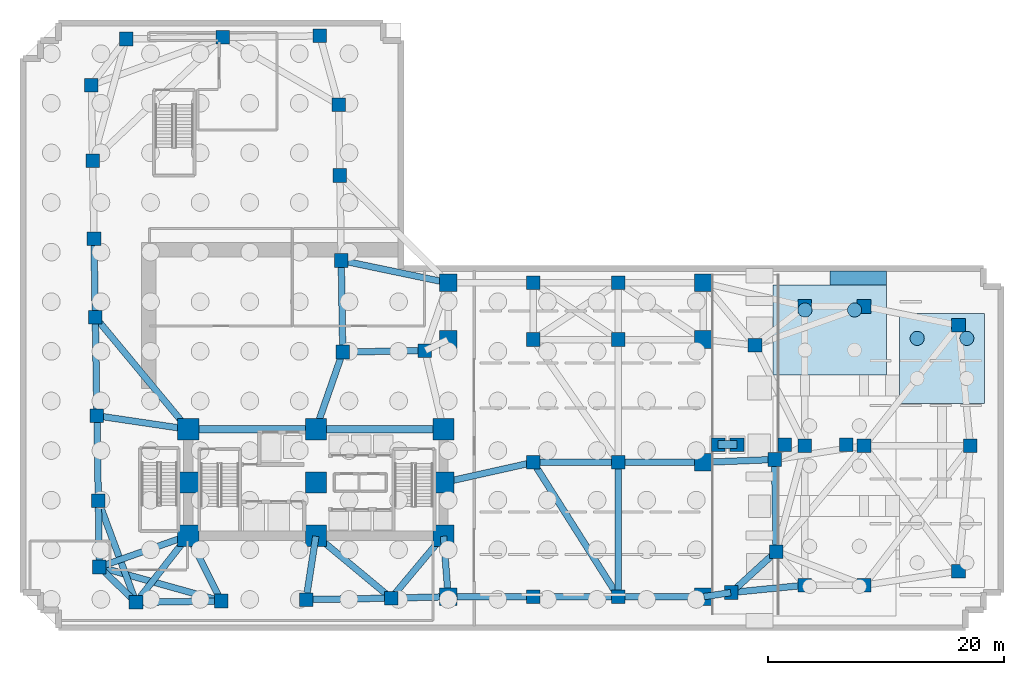
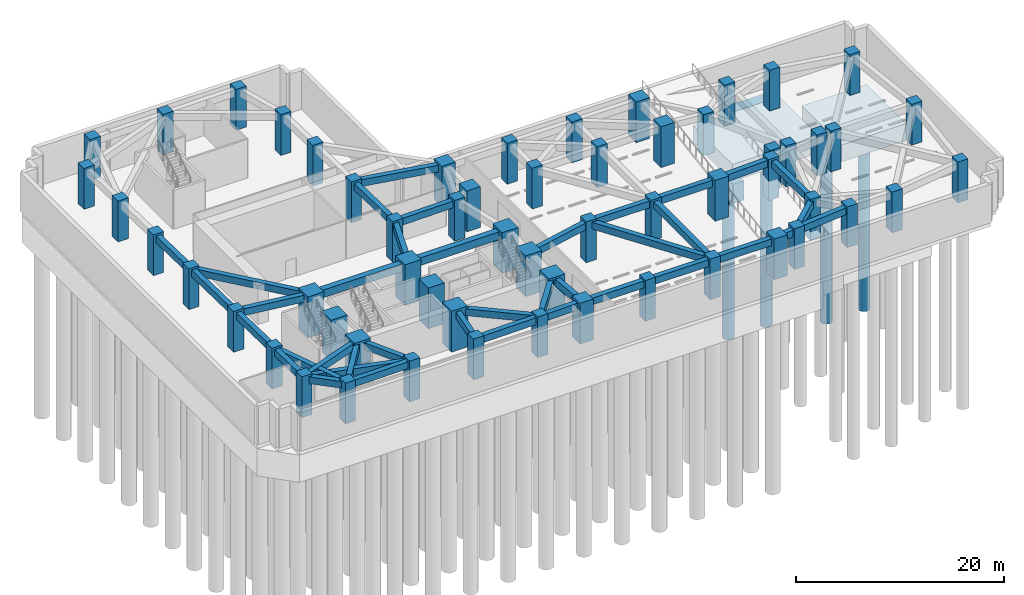
# One storey, part 2 of 11: 60 columns, 39 beams, 4 piles, 3 footings.
"""IFC4 building model written with IfcOpenShell, lengths in metres."""

import ifcopenshell
import ifcopenshell.guid

model = None  # the IFC model being written
_history = None  # IfcOwnerHistory: only IFC2X3 demands one
_inside = {}  # id of a spatial element -> (the spatial element, [elements in it])
_under = {}  # id of a project, library or spatial element -> (it, [spatial elements below it])
_declared = {}  # id of a project -> (the project, [libraries it declares])
_typed = {}  # id of a type object -> (the type object, [elements of that type])
_made_of = {}  # id of a material, layer set ... -> (it, [elements and type objects made of it])


def new_model(schema):
    """Start an empty IFC model of exactly this schema.

    Asked for "IFC4X3", IfcOpenShell would pick the latest addendum, in which some entities
    have other attributes; the version numbers below select the first issue.
    IFC2X3 requires an IfcOwnerHistory on every rooted entity: one is made here for all.
    """
    global model, _history
    if schema == "IFC4X3":
        model = ifcopenshell.file(schema_version=(4, 3, 0, 0))
    else:
        model = ifcopenshell.file(schema=schema)
    _inside.clear()
    _under.clear()
    _declared.clear()
    _typed.clear()
    _made_of.clear()
    _history = None
    if model.schema == "IFC2X3":
        org = make("IfcOrganization", Name="unknown")
        user = make(
            "IfcPersonAndOrganization",
            ThePerson=make("IfcPerson", FamilyName="unknown"),
            TheOrganization=org,
        )
        app = make(
            "IfcApplication",
            ApplicationDeveloper=org,
            Version="unknown",
            ApplicationFullName="unknown",
            ApplicationIdentifier="unknown",
        )
        _history = make(
            "IfcOwnerHistory",
            OwningUser=user,
            OwningApplication=app,
            ChangeAction="ADDED",
            CreationDate=0,
        )
    return model


def make(cls, **values):
    """One entity of the class cls with the attributes given. An attribute that is None is left unset."""
    return model.create_entity(
        cls, **{name: value for name, value in values.items() if value is not None}
    )


def rooted(cls, **values):
    """An entity with a GlobalId (a new one), such as an element, a storey or a relation."""
    return make(cls, GlobalId=ifcopenshell.guid.new(), OwnerHistory=_history, **values)


def si_unit(unit_type, name, prefix=None):
    """IfcSIUnit, for example si_unit("LENGTHUNIT", "METRE", prefix="MILLI")."""
    return make("IfcSIUnit", UnitType=unit_type, Prefix=prefix, Name=name)


def assignment(units):
    """IfcUnitAssignment: the units of a project."""
    return None if units is None else make("IfcUnitAssignment", Units=units)


def point(xyz):
    """IfcCartesianPoint."""
    return None if xyz is None else make("IfcCartesianPoint", Coordinates=xyz)


def direction(xyz):
    """IfcDirection."""
    return None if xyz is None else make("IfcDirection", DirectionRatios=xyz)


def frame(location, z_axis=None, x_axis=None):
    """IfcAxis2Placement3D, a coordinate frame: its origin and axes. An axis left out is left unset."""
    return make(
        "IfcAxis2Placement3D",
        Location=point(location),
        Axis=direction(z_axis),
        RefDirection=direction(x_axis),
    )


def frame_2d(location, x_axis=None):
    """IfcAxis2Placement2D, a coordinate frame in the plane: its origin and x axis."""
    return make(
        "IfcAxis2Placement2D", Location=point(location), RefDirection=direction(x_axis)
    )


def origin():
    """The frame at (0, 0, 0) with its axes left unset."""
    return frame((0.0, 0.0, 0.0))


def origin_2d():
    """The frame at (0, 0) in the plane with its x axis left unset."""
    return frame_2d((0.0, 0.0))


def place(relative_to, where):
    """IfcLocalPlacement: puts the frame where relative to a parent placement (None: the world)."""
    return make(
        "IfcLocalPlacement", PlacementRelTo=relative_to, RelativePlacement=where
    )


def context(
    kind, dimensions, precision=None, world=None, true_north=None, identifier=None
):
    """IfcGeometricRepresentationContext, for example the 3D "Model" context."""
    return make(
        "IfcGeometricRepresentationContext",
        ContextIdentifier=identifier,
        ContextType=kind,
        CoordinateSpaceDimension=dimensions,
        Precision=precision,
        WorldCoordinateSystem=world,
        TrueNorth=true_north,
    )


def subcontext(parent, identifier, kind, view, scale=None):
    """IfcGeometricRepresentationSubContext, for example "Body" below "Model"."""
    return make(
        "IfcGeometricRepresentationSubContext",
        ContextIdentifier=identifier,
        ContextType=kind,
        ParentContext=parent,
        TargetScale=scale,
        TargetView=view,
    )


def project(units=None, contexts=None):
    """IfcProject with its units and contexts."""
    return rooted(
        "IfcProject",
        Name="project",
        RepresentationContexts=contexts,
        UnitsInContext=assignment(units),
    )


def spatial(cls, under=None, at=None, **own):
    """A site, building, storey or space (cls), placed at a placement, below another one or the project."""
    s = rooted(cls, ObjectPlacement=at, **own)
    if under is not None:
        _under.setdefault(under.id(), (under, []))[1].append(s)
    return s


def profile(cls, at=None, kind="AREA", **sizes):
    """A parametric profile (cls). Its sizes go by their IFC names, for example OverallWidth=200.0."""
    return make(cls, ProfileType=kind, Position=at, **sizes)


def rectangle(**sizes):
    """IfcRectangleProfileDef."""
    return profile("IfcRectangleProfileDef", **sizes)


def circle(**sizes):
    """IfcCircleProfileDef."""
    return profile("IfcCircleProfileDef", **sizes)


def extrude(swept, where, along, depth):
    """IfcExtrudedAreaSolid: the profile swept, set in the frame where, extruded along a direction by depth."""
    return make(
        "IfcExtrudedAreaSolid",
        SweptArea=swept,
        Position=where,
        ExtrudedDirection=direction(along),
        Depth=depth,
    )


def shape(context_of_items, identifier, shape_type, items):
    """IfcShapeRepresentation: the items that make up one representation, for example the "Body"."""
    return make(
        "IfcShapeRepresentation",
        ContextOfItems=context_of_items,
        RepresentationIdentifier=identifier,
        RepresentationType=shape_type,
        Items=items,
    )


def material(Name=None, Category=None):
    """IfcMaterial."""
    return make("IfcMaterial", Name=Name, Category=Category)


def layer(
    of_material, thickness, ventilated=None, Name=None, Category=None, Priority=None
):
    """IfcMaterialLayer: one layer of a wall or slab, of a material (None: an air gap)."""
    return make(
        "IfcMaterialLayer",
        Material=of_material,
        LayerThickness=thickness,
        IsVentilated=ventilated,
        Name=Name,
        Category=Category,
        Priority=Priority,
    )


def layer_set(layers, Name=None):
    """IfcMaterialLayerSet."""
    return make("IfcMaterialLayerSet", MaterialLayers=layers, LayerSetName=Name)


def material_profile(
    of_material, cross_section, Name=None, Category=None, Priority=None
):
    """IfcMaterialProfile: a cross section and its material."""
    return make(
        "IfcMaterialProfile",
        Name=Name,
        Material=of_material,
        Profile=cross_section,
        Priority=Priority,
        Category=Category,
    )


def profile_set(profiles, Name=None, composite=None):
    """IfcMaterialProfileSet."""
    return make(
        "IfcMaterialProfileSet",
        Name=Name,
        MaterialProfiles=profiles,
        CompositeProfile=composite,
    )


def made_of(thing, what):
    """Note that an element or type object is made of a material, layer set ...; save() writes the relation."""
    if what is not None:
        _made_of.setdefault(what.id(), (what, []))[1].append(thing)
    return thing


def type_object(cls, material=None, **own):
    """A type object (cls), such as IfcWallType, which elements share."""
    return made_of(rooted(cls, **own), material)


def element(
    cls,
    number,
    at=None,
    inside=None,
    cuts=None,
    type_object=None,
    material=None,
    context=None,
    identifier="Body",
    shape_type=None,
    held_by="IfcProductDefinitionShape",
    body=None,
    shapes=None,
    **own,
):
    """One element of the class cls, such as IfcWall. Its Tag is "e" and its number.

    at: its placement. inside: the storey or other place that contains it. cuts: it is an
    opening in that element (IfcRelVoidsElement). A single representation is given by context,
    identifier, shape_type and body (its items); several are given by shapes. held_by: the class
    of the entity that holds the representations. save() writes the other relations.
    """
    e = rooted(cls, Tag="e%d" % number, ObjectPlacement=at, **own)
    if body is not None:
        shapes = [shape(context, identifier, shape_type, body)]
    if shapes is not None:
        e.Representation = make(held_by, Representations=shapes)
    if inside is not None:
        _inside.setdefault(inside.id(), (inside, []))[1].append(e)
    if cuts is not None:
        rooted(
            "IfcRelVoidsElement", RelatingBuildingElement=cuts, RelatedOpeningElement=e
        )
    if type_object is not None:
        _typed.setdefault(type_object.id(), (type_object, []))[1].append(e)
    return made_of(e, material)


def aggregate(whole, parts):
    """IfcRelAggregates: a whole, such as a stair, and the parts it consists of."""
    return rooted("IfcRelAggregates", RelatingObject=whole, RelatedObjects=parts)


def save(model, path):
    """Write the relations noted so far, then the file.

    IfcRelAggregates (storeys below a building ...), IfcRelContainedInSpatialStructure (elements
    in a storey), IfcRelDefinesByType, IfcRelAssociatesMaterial and IfcRelDeclares: one each for
    every whole, place, type object, material and project.
    """
    for whole, parts in _under.values():
        aggregate(whole, parts)
    for where, things in _inside.values():
        rooted(
            "IfcRelContainedInSpatialStructure",
            RelatedElements=things,
            RelatingStructure=where,
        )
    for kind, things in _typed.values():
        rooted("IfcRelDefinesByType", RelatedObjects=things, RelatingType=kind)
    for what, things in _made_of.values():
        rooted("IfcRelAssociatesMaterial", RelatedObjects=things, RelatingMaterial=what)
    for by, libraries in _declared.values():
        rooted("IfcRelDeclares", RelatingContext=by, RelatedDefinitions=libraries)
    model.write(path)


model = new_model("IFC4")

# Units and contexts
model_context = context("Model", 3, precision=1e-05, world=origin(), true_north=direction((0.0, 1.0)))
body_context = subcontext(model_context, "Body", "Model", "MODEL_VIEW")
ifc_project = project(units=[si_unit("LENGTHUNIT", "METRE"), si_unit("AREAUNIT", "SQUARE_METRE"), si_unit("VOLUMEUNIT", "CUBIC_METRE"), si_unit("PLANEANGLEUNIT", "RADIAN"), si_unit("MASSUNIT", "GRAM", prefix="KILO")], contexts=[model_context])

# Site, building, storey
site_placement = place(None, origin())
site = spatial("IfcSite", under=ifc_project, at=site_placement, CompositionType="ELEMENT")
building_placement = place(site_placement, origin())
building = spatial("IfcBuilding", under=site, at=building_placement, Name="Gaonmaruhae Medical Tower", CompositionType="ELEMENT")
storey_placement = place(building_placement, frame((0.0, 0.0, -9.60009765625)))
storey = spatial("IfcBuildingStorey", under=building, at=storey_placement, Name="B02", CompositionType="ELEMENT", Elevation=-9.60009765625)

# Piles
ifc_material_1 = material(Name="Concrete C50/60", Category="concrete")
ifc_material_profile_1 = material_profile(ifc_material_1, circle(Radius=0.60009765625, at=origin_2d()), Name="PILE-D1200")
ifc_profile_set_1 = profile_set([ifc_material_profile_1], Name="Concrete C50/60")
pile_type = type_object("IfcPileType", Name="BP-1200 Rock-Socketed Bored Pile", PredefinedType="BORED", material=ifc_profile_set_1)
for number, where, z_axis, x_axis, name in (
    (1, (66.199951171875, 26.89990234375, -2.5), (0.0, 0.0, -1.0), (1.0, 0.0, 0.0), "Podium Cap Bored Pile PILE-P10"),
    (2, (70.39990234375, 26.89990234375, -2.5), (0.0, 0.0, -1.0), (1.0, 0.0, 0.0), "Podium Cap Bored Pile PILE-P12"),
    (3, (75.699951171875, 24.5, -2.5), (0.0, 0.0, -1.0), (1.0, 0.0, 0.0), "Podium Cap Bored Pile PILE-P18"),
    (4, (79.89990234375, 24.5, -2.5), (0.0, 0.0, -1.0), (1.0, 0.0, 0.0), "Podium Cap Bored Pile PILE-P20"),
):
    element("IfcPile", number, at=place(storey_placement, frame(where, z_axis=z_axis, x_axis=x_axis)), inside=storey, type_object=pile_type, Name=name, PredefinedType="BORED", context=body_context, shape_type="SweptSolid", body=[
        extrude(circle(Radius=0.60009765625, at=origin_2d()), origin(), (0.0, 0.0, 1.0), 22.60009765625),
    ])

# Footings
ifc_material_2 = material(Name="Concrete C40/50", Category="concrete")
ifc_layer = layer(ifc_material_2, 2.0)
ifc_layer_set = layer_set([ifc_layer], Name="Concrete C40/50")
footing_type_1 = type_object("IfcFootingType", Name="PC-02 Podium Corner Pile Cap", PredefinedType="PILE_CAP", material=ifc_layer_set)
footing_1_placement = place(storey_placement, frame((68.300048828125, 25.199951171875, -2.599853515625), z_axis=(0.0, 0.0, 1.0), x_axis=(1.0, 0.0, 0.0)))
element("IfcFooting", 5, at=footing_1_placement, inside=storey, type_object=footing_type_1, Name="Podium Combined Pile Cap FTG-PC-03", PredefinedType="PILE_CAP", context=body_context, shape_type="SweptSolid", body=[
    extrude(rectangle(XDim=9.60009765625, YDim=7.60009765625, at=origin_2d()), origin(), (0.0, 0.0, 1.0), 2.0),
])
footing_2_placement = place(storey_placement, frame((77.800048828125, 22.800048828125, -2.599853515625), z_axis=(0.0, 0.0, 1.0), x_axis=(1.0, 0.0, 0.0)))
element("IfcFooting", 6, at=footing_2_placement, inside=storey, type_object=footing_type_1, Name="Podium Combined Pile Cap FTG-PC-05", PredefinedType="PILE_CAP", context=body_context, shape_type="SweptSolid", body=[
    extrude(rectangle(XDim=7.199951171875, YDim=7.60009765625, at=origin_2d()), origin(), (0.0, 0.0, 1.0), 2.0),
])
ifc_material_profile_2 = material_profile(ifc_material_2, rectangle(XDim=1.199951171875, YDim=1.60009765625, at=origin_2d()), Name="TG-1200x1600")
ifc_profile_set_2 = profile_set([ifc_material_profile_2], Name="Concrete C40/50")
footing_type_2 = type_object("IfcFootingType", Name="SF-01 Retaining Wall Strip Footing", PredefinedType="STRIP_FOOTING", material=ifc_profile_set_2)
footing_3_placement = place(storey_placement, frame((68.300048828125, 29.60009765625, -1.39990234375), z_axis=(1.0, 0.0, 0.0), x_axis=(0.0, 1.0, 0.0)))
element("IfcFooting", 7, at=footing_3_placement, inside=storey, type_object=footing_type_2, Name="Perimeter Strip Footing FTG-SF-05", PredefinedType="STRIP_FOOTING", context=body_context, shape_type="SweptSolid", body=[
    extrude(rectangle(XDim=1.199951171875, YDim=1.60009765625, at=origin_2d()), origin(), (0.0, 0.0, 1.0), 4.800048828125),
])

# Columns
ifc_material_3 = material(Name="Concrete C60/75", Category="concrete")
ifc_material_profile_3 = material_profile(ifc_material_3, rectangle(XDim=1.800048828125, YDim=1.800048828125, at=origin_2d()), Name="RC-1800x1800")
ifc_profile_set_3 = profile_set([ifc_material_profile_3], Name="Concrete C60/75")
column_type_1 = type_object("IfcColumnType", Name="CC-01 Lower Core Mega Column (RC-1800x1800)", PredefinedType="COLUMN", material=ifc_profile_set_3)
for number, where, z_axis, x_axis, name in (
    (8, (14.0, 7.800048828125, 0.0), (0.0, 0.0, 1.0), (1.0, 0.0, 0.0), "B02 Plumb Core Column CC11"),
    (9, (14.0, 12.300048828125, 0.0), (0.0, 0.0, 1.0), (1.0, 0.0, 0.0), "B02 Plumb Core Column CC12"),
    (10, (14.0, 16.800048828125, 0.0), (0.0, 0.0, 1.0), (1.0, 0.0, 0.0), "B02 Plumb Core Column CC13"),
    (11, (24.800048828125, 7.800048828125, 0.0), (0.0, 0.0, 1.0), (1.0, 0.0, 0.0), "B02 Plumb Core Column CC21"),
    (12, (24.800048828125, 12.300048828125, 0.0), (0.0, 0.0, 1.0), (1.0, 0.0, 0.0), "B02 Plumb Core Column CC22"),
    (13, (24.800048828125, 16.800048828125, 0.0), (0.0, 0.0, 1.0), (1.0, 0.0, 0.0), "B02 Plumb Core Column CC23"),
    (14, (35.60009765625, 7.800048828125, 0.0), (0.0, 0.0, 1.0), (1.0, 0.0, 0.0), "B02 Plumb Core Column CC31"),
    (15, (35.60009765625, 12.300048828125, 0.0), (0.0, 0.0, 1.0), (1.0, 0.0, 0.0), "B02 Plumb Core Column CC32"),
    (16, (35.60009765625, 16.800048828125, 0.0), (0.0, 0.0, 1.0), (1.0, 0.0, 0.0), "B02 Plumb Core Column CC33"),
):
    element("IfcColumn", number, at=place(storey_placement, frame(where, z_axis=z_axis, x_axis=x_axis)), inside=storey, type_object=column_type_1, Name=name, PredefinedType="COLUMN", context=body_context, shape_type="SweptSolid", body=[
        extrude(rectangle(XDim=1.800048828125, YDim=1.800048828125, at=origin_2d()), origin(), (0.0, 0.0, 1.0), 4.800048828125),
    ])
ifc_material_profile_4 = material_profile(ifc_material_3, rectangle(XDim=1.5, YDim=1.5, at=origin_2d()), Name="RC-1500x1500")
ifc_profile_set_4 = profile_set([ifc_material_profile_4], Name="Concrete C60/75")
column_type_2 = type_object("IfcColumnType", Name="PC-C1 Portal Arch Exterior Spring Pier (RC-1500x1500)", PredefinedType="PILASTER", material=ifc_profile_set_4)
for number, where, z_axis, x_axis, name in (
    (17, (36.0, 29.199951171875, 0.0), (0.0, 0.0, 1.0), (1.0, 0.0, 0.0), "B02 Podium Column AP-W4"),
    (18, (57.60009765625, 29.199951171875, 0.0), (0.0, 0.0, 1.0), (1.0, 0.0, 0.0), "B02 Podium Column AP-E4"),
):
    element("IfcColumn", number, at=place(storey_placement, frame(where, z_axis=z_axis, x_axis=x_axis)), inside=storey, type_object=column_type_2, Name=name, PredefinedType="PILASTER", context=body_context, shape_type="SweptSolid", body=[
        extrude(rectangle(XDim=1.5, YDim=1.5, at=origin_2d()), origin(), (0.0, 0.0, 1.0), 4.800048828125),
    ])
ifc_material_profile_5 = material_profile(ifc_material_3, rectangle(XDim=1.5, YDim=1.5, at=origin_2d()), Name="RC-1500x1500")
ifc_profile_set_5 = profile_set([ifc_material_profile_5], Name="Concrete C60/75")
column_type_3 = type_object("IfcColumnType", Name="PC-C1I Portal Arch Interior Spring Pier (RC-1500x1500)", PredefinedType="PILASTER", material=ifc_profile_set_5)
for number, where, z_axis, x_axis, name in (
    (19, (36.0, 2.6259765625, 0.0), (0.0, 0.0, 1.0), (1.0, 0.0, 0.0), "B02 Podium Column AP-W1"),
    (20, (57.60009765625, 2.6259765625, 0.0), (0.0, 0.0, 1.0), (1.0, 0.0, 0.0), "B02 Podium Column AP-E1"),
    (21, (57.60009765625, 14.0, 0.0), (0.0, 0.0, 1.0), (1.0, 0.0, 0.0), "B02 Podium Column AP-E2"),
    (22, (36.0, 24.39990234375, 0.0), (0.0, 0.0, 1.0), (1.0, 0.0, 0.0), "B02 Podium Column AP-W3"),
    (23, (57.60009765625, 24.39990234375, 0.0), (0.0, 0.0, 1.0), (1.0, 0.0, 0.0), "B02 Podium Column AP-E3"),
):
    element("IfcColumn", number, at=place(storey_placement, frame(where, z_axis=z_axis, x_axis=x_axis)), inside=storey, type_object=column_type_3, Name=name, PredefinedType="PILASTER", context=body_context, shape_type="SweptSolid", body=[
        extrude(rectangle(XDim=1.5, YDim=1.5, at=origin_2d()), origin(), (0.0, 0.0, 1.0), 4.800048828125),
    ])
ifc_material_profile_6 = material_profile(ifc_material_1, rectangle(XDim=1.14990234375, YDim=1.14990234375, at=origin_2d()), Name="RC-1150x1150")
ifc_profile_set_6 = profile_set([ifc_material_profile_6], Name="Concrete C50/60")
column_type_4 = type_object("IfcColumnType", Name="PC-C2 Podium Perimeter Column (RC-1150x1150)", PredefinedType="COLUMN", material=ifc_profile_set_6)
for number, where, z_axis, x_axis, name in (
    (24, (9.572265625, 2.1484375, 0.0), (0.0, 0.0, 1.0), (1.0, 0.0, 0.0), "B02 Podium Column PL5-S01"),
    (25, (25.129150390625, 50.113037109375, 0.0), (0.0, 0.0, 1.0), (1.0, 0.0, 0.0), "B02 Podium Column PL5-N01"),
    (26, (16.930419921875, 49.97705078125, 0.0), (0.0, 0.0, 1.0), (1.0, 0.0, 0.0), "B02 Podium Column PL5-N02"),
    (27, (8.7314453125, 49.841064453125, 0.0), (0.0, 0.0, 1.0), (1.0, 0.0, 0.0), "B02 Podium Column PL5-N03"),
    (28, (66.199951171875, 3.60009765625, 0.0), (0.0, 0.0, 1.0), (1.0, 0.0, 0.0), "B02 Podium Column PE-01"),
    (29, (66.199951171875, 27.199951171875, 0.0), (0.0, 0.0, 1.0), (1.0, 0.0, 0.0), "B02 Podium Column PE-05"),
    (30, (79.199951171875, 4.800048828125, 0.0), (0.0, 0.0, 1.0), (1.0, 0.0, 0.0), "B02 Podium Column PE-07"),
    (31, (80.199951171875, 15.39990234375, 0.0), (0.0, 0.0, 1.0), (1.0, 0.0, 0.0), "B02 Podium Column PE-08"),
    (32, (79.199951171875, 25.60009765625, 0.0), (0.0, 0.0, 1.0), (1.0, 0.0, 0.0), "B02 Podium Column PE-09"),
):
    element("IfcColumn", number, at=place(storey_placement, frame(where, z_axis=z_axis, x_axis=x_axis)), inside=storey, type_object=column_type_4, Name=name, PredefinedType="COLUMN", context=body_context, shape_type="SweptSolid", body=[
        extrude(rectangle(XDim=1.14990234375, YDim=1.14990234375, at=origin_2d()), origin(), (0.0, 0.0, 1.0), 4.800048828125),
    ])
ifc_material_profile_7 = material_profile(ifc_material_1, rectangle(XDim=1.14990234375, YDim=1.14990234375, at=origin_2d()), Name="RC-1150x1150")
ifc_profile_set_7 = profile_set([ifc_material_profile_7], Name="Concrete C50/60")
column_type_5 = type_object("IfcColumnType", Name="PC-C2I Podium Interior Column (RC-1150x1150)", PredefinedType="COLUMN", material=ifc_profile_set_7)
for number, where, z_axis, x_axis, name in (
    (33, (64.5, 15.5, 0.0), (0.0, 0.0, 1.0), (1.0, 0.0, 0.0), "B02 Vehicle Ramp Stack Column 3"),
    (34, (69.699951171875, 15.5, 0.0), (0.0, 0.0, 1.0), (1.0, 0.0, 0.0), "B02 Vehicle Ramp Stack Column 4"),
):
    element("IfcColumn", number, at=place(storey_placement, frame(where, z_axis=z_axis, x_axis=x_axis)), inside=storey, type_object=column_type_5, Name=name, PredefinedType="COLUMN", context=body_context, shape_type="SweptSolid", body=[
        extrude(rectangle(XDim=1.14990234375, YDim=1.14990234375, at=origin_2d()), origin(), (0.0, 0.0, 1.0), 4.800048828125),
    ])
for number, where, z_axis, x_axis, name in (
    (35, (58.85009765625, 15.510009765625, 0.002685546875), (0.0, 0.0, 1.0), (1.0, 0.0, 0.0), "B02 Vehicle Ramp Mid-Span Support Column 1"),
    (36, (60.449951171875, 15.510009765625, 0.002685546875), (0.0, 0.0, 1.0), (1.0, 0.0, 0.0), "B02 Vehicle Ramp Mid-Span Support Column 2"),
):
    element("IfcColumn", number, at=place(storey_placement, frame(where, z_axis=z_axis, x_axis=x_axis)), inside=storey, type_object=column_type_5, Name=name, PredefinedType="COLUMN", context=body_context, shape_type="SweptSolid", body=[
        extrude(rectangle(XDim=1.14990234375, YDim=1.14990234375, at=origin_2d()), origin(), (0.0, 0.0, 1.0), 2.26953125),
    ])
for number, where, z_axis, x_axis, name in (
    (37, (43.199951171875, 2.6259765625, 0.0), (0.0, 0.0, 1.0), (1.0, 0.0, 0.0), "B02 Podium Column BC-11"),
    (38, (50.39990234375, 2.6259765625, 0.0), (0.0, 0.0, 1.0), (1.0, 0.0, 0.0), "B02 Podium Column BC-21"),
    (39, (43.199951171875, 14.0, 0.0), (0.0, 0.0, 1.0), (1.0, 0.0, 0.0), "B02 Podium Column BC-12"),
    (40, (50.39990234375, 14.0, 0.0), (0.0, 0.0, 1.0), (1.0, 0.0, 0.0), "B02 Podium Column BC-22"),
    (41, (43.199951171875, 24.39990234375, 0.0), (0.0, 0.0, 1.0), (1.0, 0.0, 0.0), "B02 Podium Column BC-13"),
    (42, (50.39990234375, 24.39990234375, 0.0), (0.0, 0.0, 1.0), (1.0, 0.0, 0.0), "B02 Podium Column BC-23"),
    (43, (43.199951171875, 29.199951171875, 0.0), (0.0, 0.0, 1.0), (1.0, 0.0, 0.0), "B02 Podium Column BC-14"),
    (44, (50.39990234375, 29.199951171875, 0.0), (0.0, 0.0, 1.0), (1.0, 0.0, 0.0), "B02 Podium Column BC-24"),
    (45, (16.771240234375, 2.267822265625, 0.0), (0.0, 0.0, 1.0), (1.0, 0.0, 0.0), "B02 Podium Column PL5-S02"),
    (46, (23.97021484375, 2.38720703125, 0.0), (0.0, 0.0, 1.0), (1.0, 0.0, 0.0), "B02 Podium Column PL5-S03"),
    (47, (31.169189453125, 2.506591796875, 0.0), (0.0, 0.0, 1.0), (1.0, 0.0, 0.0), "B02 Podium Column PL5-S04"),
    (48, (59.96533203125, 2.984130859375, 0.0), (0.0, 0.0, 1.0), (1.0, 0.0, 0.0), "B02 Podium Column PL5-S08"),
    (49, (63.75830078125, 6.447509765625, 0.0), (0.0, 0.0, 1.0), (1.0, 0.0, 0.0), "B02 Podium Column PL5-E01"),
    (50, (63.629150390625, 14.246337890625, 0.0), (0.0, 0.0, 1.0), (1.0, 0.0, 0.0), "B02 Podium Column PL5-E02"),
    (51, (61.968505859375, 23.920166015625, 0.0), (0.0, 0.0, 1.0), (1.0, 0.0, 0.0), "B02 Podium Column PL5-E03"),
    (52, (34.022216796875, 23.456787109375, 0.0), (0.0, 0.0, 1.0), (1.0, 0.0, 0.0), "B02 Podium Column PL5-EN04"),
    (53, (27.0732421875, 23.341552734375, 0.0), (0.0, 0.0, 1.0), (1.0, 0.0, 0.0), "B02 Podium Column PL5-KN01"),
    (54, (26.94482421875, 31.090576171875, 0.0), (0.0, 0.0, 1.0), (1.0, 0.0, 0.0), "B02 Podium Column PL5-NE01"),
    (55, (26.825439453125, 38.28955078125, 0.0), (0.0, 0.0, 1.0), (1.0, 0.0, 0.0), "B02 Podium Column PL5-NE02"),
    (56, (26.725830078125, 44.288818359375, 0.0), (0.0, 0.0, 1.0), (1.0, 0.0, 0.0), "B02 Podium Column PL5-NE03"),
    (57, (5.795654296875, 45.94189453125, 0.0), (0.0, 0.0, 1.0), (1.0, 0.0, 0.0), "B02 Podium Column PL5-W01"),
    (58, (5.90185546875, 39.542724609375, 0.0), (0.0, 0.0, 1.0), (1.0, 0.0, 0.0), "B02 Podium Column PL5-W02"),
    (59, (6.01123046875, 32.943603515625, 0.0), (0.0, 0.0, 1.0), (1.0, 0.0, 0.0), "B02 Podium Column PL5-W03"),
    (60, (6.121337890625, 26.294677734375, 0.0), (0.0, 0.0, 1.0), (1.0, 0.0, 0.0), "B02 Podium Column PL5-W04"),
    (61, (6.260009765625, 17.94580078125, 0.0), (0.0, 0.0, 1.0), (1.0, 0.0, 0.0), "B02 Podium Column PL5-W05"),
    (62, (6.37939453125, 10.746826171875, 0.0), (0.0, 0.0, 1.0), (1.0, 0.0, 0.0), "B02 Podium Column PL5-W06"),
    (63, (6.47216796875, 5.1474609375, 0.0), (0.0, 0.0, 1.0), (1.0, 0.0, 0.0), "B02 Podium Column PL5-W07"),
    (64, (71.199951171875, 3.60009765625, 0.0), (0.0, 0.0, 1.0), (1.0, 0.0, 0.0), "B02 Podium Column PE-02"),
    (65, (66.199951171875, 15.39990234375, 0.0), (0.0, 0.0, 1.0), (1.0, 0.0, 0.0), "B02 Podium Column PE-03"),
    (66, (71.199951171875, 15.39990234375, 0.0), (0.0, 0.0, 1.0), (1.0, 0.0, 0.0), "B02 Podium Column PE-04"),
    (67, (71.199951171875, 27.199951171875, 0.0), (0.0, 0.0, 1.0), (1.0, 0.0, 0.0), "B02 Podium Column PE-06"),
):
    element("IfcColumn", number, at=place(storey_placement, frame(where, z_axis=z_axis, x_axis=x_axis)), inside=storey, type_object=column_type_5, Name=name, PredefinedType="COLUMN", context=body_context, shape_type="SweptSolid", body=[
        extrude(rectangle(XDim=1.14990234375, YDim=1.14990234375, at=origin_2d()), origin(), (0.0, 0.0, 1.0), 4.800048828125),
    ])

# Beams
ifc_material_profile_8 = material_profile(ifc_material_1, rectangle(XDim=0.64990234375, YDim=0.89990234375, at=origin_2d()), Name="RCG-650x900")
ifc_profile_set_8 = profile_set([ifc_material_profile_8], Name="Concrete C50/60")
beam_type_1 = type_object("IfcBeamType", Name="RG-01 Podium Primary RC Girder (RCG-650x900)", PredefinedType="BEAM", material=ifc_profile_set_8)
beam_1_placement = place(storey_placement, frame((58.85009765625, 15.510009765625, 1.822021484375), z_axis=(1.0, 0.0, 0.0), x_axis=(0.0, 1.0, 0.0)))
element("IfcBeam", 68, at=beam_1_placement, inside=storey, type_object=beam_type_1, Name="B02 Vehicle Ramp Mid-Span Support Girder", PredefinedType="BEAM", context=body_context, shape_type="SweptSolid", body=[
    extrude(rectangle(XDim=0.64990234375, YDim=0.89990234375, at=origin_2d()), origin(), (0.0, 0.0, 1.0), 1.599853515625),
])
for number, where, z_axis, x_axis, name in (
    (69, (14.050048828125, 16.800048828125, 4.10009765625), (1.0, 0.0, 0.0), (0.0, 1.0, 0.0), "B02 Beam BM-B02-CG-N1"),
    (70, (24.85009765625, 16.800048828125, 4.10009765625), (1.0, 0.0, 0.0), (0.0, 1.0, 0.0), "B02 Beam BM-B02-CG-N2"),
):
    element("IfcBeam", number, at=place(storey_placement, frame(where, z_axis=z_axis, x_axis=x_axis)), inside=storey, type_object=beam_type_1, Name=name, PredefinedType="BEAM", context=body_context, shape_type="SweptSolid", body=[
        extrude(rectangle(XDim=0.64990234375, YDim=0.89990234375, at=origin_2d()), origin(), (0.0, 0.0, 1.0), 10.699951171875),
    ])
ifc_material_profile_9 = material_profile(ifc_material_1, rectangle(XDim=0.550048828125, YDim=0.800048828125, at=origin_2d()), Name="RCG-550x800")
ifc_profile_set_9 = profile_set([ifc_material_profile_9], Name="Concrete C50/60")
beam_type_2 = type_object("IfcBeamType", Name="RG-02 Basement Loop RC Girder (RCG-550x800)", PredefinedType="BEAM", material=ifc_profile_set_9)
beam_2_placement = place(storey_placement, frame((35.949951171875, 2.624755859375, 4.150146484375), z_axis=(-0.999694600046, -0.024712479405, 0.0), x_axis=(0.024712479405, -0.999694600046, 0.0)))
element("IfcBeam", 71, at=beam_2_placement, inside=storey, type_object=beam_type_2, Name="B02 Beam BM-B02-PG001", PredefinedType="BEAM", context=body_context, shape_type="SweptSolid", body=[
    extrude(rectangle(XDim=0.550048828125, YDim=0.800048828125, at=origin_2d()), origin(), (0.0, 0.0, 1.0), 4.732177734375),
])
beam_3_placement = place(storey_placement, frame((35.99609375, 2.67578125, 4.150146484375), z_axis=(-0.077085319769, 0.997024499938, 0.0), x_axis=(-0.997024499938, -0.077085319769, 0.0)))
element("IfcBeam", 72, at=beam_3_placement, inside=storey, type_object=beam_type_2, Name="B02 Beam BM-B02-PG002", PredefinedType="BEAM", context=body_context, shape_type="SweptSolid", body=[
    extrude(rectangle(XDim=0.550048828125, YDim=0.800048828125, at=origin_2d()), origin(), (0.0, 0.0, 1.0), 5.089599609375),
])
beam_4_placement = place(storey_placement, frame((57.6494140625, 2.633544921875, 4.150146484375), z_axis=(0.988739394413, 0.149647619213, 0.0), x_axis=(-0.149647619213, 0.988739394413, 0.0)))
element("IfcBeam", 73, at=beam_4_placement, inside=storey, type_object=beam_type_2, Name="B02 Beam BM-B02-PG003", PredefinedType="BEAM", context=body_context, shape_type="SweptSolid", body=[
    extrude(rectangle(XDim=0.550048828125, YDim=0.800048828125, at=origin_2d()), origin(), (0.0, 0.0, 1.0), 2.292236328125),
])
for number, where, z_axis, x_axis, name in (
    (74, (57.550048828125, 2.6259765625, 4.150146484375), (-1.0, 0.0, 0.0), (0.0, -1.0, 0.0), "B02 Beam BM-B02-PG004"),
    (75, (43.25, 2.6259765625, 4.150146484375), (1.0, 0.0, 0.0), (0.0, 1.0, 0.0), "B02 Beam BM-B02-PG005"),
):
    element("IfcBeam", number, at=place(storey_placement, frame(where, z_axis=z_axis, x_axis=x_axis)), inside=storey, type_object=beam_type_2, Name=name, PredefinedType="BEAM", context=body_context, shape_type="SweptSolid", body=[
        extrude(rectangle(XDim=0.550048828125, YDim=0.800048828125, at=origin_2d()), origin(), (0.0, 0.0, 1.0), 7.10009765625),
    ])
beam_5_placement = place(storey_placement, frame((43.14990234375, 2.6259765625, 4.150146484375), z_axis=(-1.0, 0.0, 0.0), x_axis=(0.0, -1.0, 0.0)))
element("IfcBeam", 76, at=beam_5_placement, inside=storey, type_object=beam_type_2, Name="B02 Beam BM-B02-PG006", PredefinedType="BEAM", context=body_context, shape_type="SweptSolid", body=[
    extrude(rectangle(XDim=0.550048828125, YDim=0.800048828125, at=origin_2d()), origin(), (0.0, 0.0, 1.0), 7.099853515625),
])
beam_6_placement = place(storey_placement, frame((50.39990234375, 2.676025390625, 4.150146484375), z_axis=(0.0, 1.0, 0.0), x_axis=(-1.0, 0.0, 0.0)))
element("IfcBeam", 77, at=beam_6_placement, inside=storey, type_object=beam_type_2, Name="B02 Beam BM-B02-PG007", PredefinedType="BEAM", context=body_context, shape_type="SweptSolid", body=[
    extrude(rectangle(XDim=0.550048828125, YDim=0.800048828125, at=origin_2d()), origin(), (0.0, 0.0, 1.0), 11.27392578125),
])
beam_7_placement = place(storey_placement, frame((50.373291015625, 2.668212890625, 4.150146484375), z_axis=(-0.534861666539, 0.844939641435, 0.0), x_axis=(-0.844939641435, -0.534861666539, 0.0)))
element("IfcBeam", 78, at=beam_7_placement, inside=storey, type_object=beam_type_2, Name="B02 Beam BM-B02-PG008", PredefinedType="BEAM", context=body_context, shape_type="SweptSolid", body=[
    extrude(rectangle(XDim=0.550048828125, YDim=0.800048828125, at=origin_2d()), origin(), (0.0, 0.0, 1.0), 13.361328125),
])
beam_8_placement = place(storey_placement, frame((57.64990234375, 14.001953125, 4.150146484375), z_axis=(0.999165142421, 0.04085361881, 0.0), x_axis=(-0.04085361881, 0.999165142421, 0.0)))
element("IfcBeam", 79, at=beam_8_placement, inside=storey, type_object=beam_type_2, Name="B02 Beam BM-B02-PG009", PredefinedType="BEAM", context=body_context, shape_type="SweptSolid", body=[
    extrude(rectangle(XDim=0.550048828125, YDim=0.800048828125, at=origin_2d()), origin(), (0.0, 0.0, 1.0), 5.93408203125),
])
for number, where, z_axis, x_axis, name in (
    (80, (57.550048828125, 14.0, 4.150146484375), (-1.0, 0.0, 0.0), (0.0, -1.0, 0.0), "B02 Beam BM-B02-PG010"),
    (81, (43.25, 14.0, 4.150146484375), (1.0, 0.0, 0.0), (0.0, 1.0, 0.0), "B02 Beam BM-B02-PG011"),
):
    element("IfcBeam", number, at=place(storey_placement, frame(where, z_axis=z_axis, x_axis=x_axis)), inside=storey, type_object=beam_type_2, Name=name, PredefinedType="BEAM", context=body_context, shape_type="SweptSolid", body=[
        extrude(rectangle(XDim=0.550048828125, YDim=0.800048828125, at=origin_2d()), origin(), (0.0, 0.0, 1.0), 7.10009765625),
    ])
beam_9_placement = place(storey_placement, frame((43.151123046875, 13.989013671875, 4.150146484375), z_axis=(-0.97588950066, -0.218265165572, 0.0), x_axis=(0.218265165572, -0.97588950066, 0.0)))
element("IfcBeam", 82, at=beam_9_placement, inside=storey, type_object=beam_type_2, Name="B02 Beam BM-B02-PG012", PredefinedType="BEAM", context=body_context, shape_type="SweptSolid", body=[
    extrude(rectangle(XDim=0.550048828125, YDim=0.800048828125, at=origin_2d()), origin(), (0.0, 0.0, 1.0), 7.687744140625),
])
beam_10_placement = place(storey_placement, frame((9.536376953125, 2.183349609375, 4.150146484375), z_axis=(-0.71874317397, 0.695275664662, 0.0), x_axis=(-0.695275664662, -0.71874317397, 0.0)))
element("IfcBeam", 83, at=beam_10_placement, inside=storey, type_object=beam_type_2, Name="B02 Beam BM-B02-PG031", PredefinedType="BEAM", context=body_context, shape_type="SweptSolid", body=[
    extrude(rectangle(XDim=0.550048828125, YDim=0.800048828125, at=origin_2d()), origin(), (0.0, 0.0, 1.0), 4.21337890625),
])
beam_11_placement = place(storey_placement, frame((9.60302734375, 2.187744140625, 4.150146484375), z_axis=(0.616722881004, 0.787180340231, 0.0), x_axis=(-0.787180340231, 0.616722881004, 0.0)))
element("IfcBeam", 84, at=beam_11_placement, inside=storey, type_object=beam_type_2, Name="B02 Beam BM-B02-PG032", PredefinedType="BEAM", context=body_context, shape_type="SweptSolid", body=[
    extrude(rectangle(XDim=0.550048828125, YDim=0.800048828125, at=origin_2d()), origin(), (0.0, 0.0, 1.0), 7.07958984375),
])
beam_12_placement = place(storey_placement, frame((16.7490234375, 2.3125, 4.150146484375), z_axis=(-0.447887224471, 0.894090059309, 0.0), x_axis=(-0.894090059309, -0.447887224471, 0.0)))
element("IfcBeam", 85, at=beam_12_placement, inside=storey, type_object=beam_type_2, Name="B02 Beam BM-B02-PG033", PredefinedType="BEAM", context=body_context, shape_type="SweptSolid", body=[
    extrude(rectangle(XDim=0.550048828125, YDim=0.800048828125, at=origin_2d()), origin(), (0.0, 0.0, 1.0), 6.087646484375),
])
beam_13_placement = place(storey_placement, frame((16.72119140625, 2.26708984375, 4.150146484375), z_axis=(-0.99986263522, -0.016574398672, 0.0), x_axis=(0.016574398672, -0.99986263522, 0.0)))
element("IfcBeam", 86, at=beam_13_placement, inside=storey, type_object=beam_type_2, Name="B02 Beam BM-B02-PG034", PredefinedType="BEAM", context=body_context, shape_type="SweptSolid", body=[
    extrude(rectangle(XDim=0.550048828125, YDim=0.800048828125, at=origin_2d()), origin(), (0.0, 0.0, 1.0), 7.099853515625),
])
beam_14_placement = place(storey_placement, frame((23.977783203125, 2.436767578125, 4.150146484375), z_axis=(0.15154867759, 0.988449795549, 0.0), x_axis=(-0.988449795549, 0.15154867759, 0.0)))
element("IfcBeam", 87, at=beam_14_placement, inside=storey, type_object=beam_type_2, Name="B02 Beam BM-B02-PG035", PredefinedType="BEAM", context=body_context, shape_type="SweptSolid", body=[
    extrude(rectangle(XDim=0.550048828125, YDim=0.800048828125, at=origin_2d()), origin(), (0.0, 0.0, 1.0), 5.375732421875),
])
beam_15_placement = place(storey_placement, frame((24.020263671875, 2.38818359375, 4.150146484375), z_axis=(0.999862644666, 0.01657382883, 0.0), x_axis=(-0.01657382883, 0.999862644666, 0.0)))
element("IfcBeam", 88, at=beam_15_placement, inside=storey, type_object=beam_type_2, Name="B02 Beam BM-B02-PG036", PredefinedType="BEAM", context=body_context, shape_type="SweptSolid", body=[
    extrude(rectangle(XDim=0.550048828125, YDim=0.800048828125, at=origin_2d()), origin(), (0.0, 0.0, 1.0), 7.10009765625),
])
beam_16_placement = place(storey_placement, frame((31.201416015625, 2.544921875, 4.150146484375), z_axis=(0.641841952808, 0.766836949824, 0.0), x_axis=(-0.766836949824, 0.641841952808, 0.0)))
element("IfcBeam", 89, at=beam_16_placement, inside=storey, type_object=beam_type_2, Name="B02 Beam BM-B02-PG037", PredefinedType="BEAM", context=body_context, shape_type="SweptSolid", body=[
    extrude(rectangle(XDim=0.550048828125, YDim=0.800048828125, at=origin_2d()), origin(), (0.0, 0.0, 1.0), 6.802978515625),
])
beam_17_placement = place(storey_placement, frame((31.130859375, 2.53857421875, 4.150146484375), z_axis=(-0.769076636627, 0.639156574709, 0.0), x_axis=(-0.639156574709, -0.769076636627, 0.0)))
element("IfcBeam", 90, at=beam_17_placement, inside=storey, type_object=beam_type_2, Name="B02 Beam BM-B02-PG038", PredefinedType="BEAM", context=body_context, shape_type="SweptSolid", body=[
    extrude(rectangle(XDim=0.550048828125, YDim=0.800048828125, at=origin_2d()), origin(), (0.0, 0.0, 1.0), 8.181884765625),
])
beam_18_placement = place(storey_placement, frame((60.002197265625, 3.017822265625, 4.150146484375), z_axis=(0.738468702346, 0.674287754341, 0.0), x_axis=(-0.674287754341, 0.738468702346, 0.0)))
element("IfcBeam", 91, at=beam_18_placement, inside=storey, type_object=beam_type_2, Name="B02 Beam BM-B02-PG039", PredefinedType="BEAM", context=body_context, shape_type="SweptSolid", body=[
    extrude(rectangle(XDim=0.550048828125, YDim=0.800048828125, at=origin_2d()), origin(), (0.0, 0.0, 1.0), 5.036376953125),
])
beam_19_placement = place(storey_placement, frame((60.01513671875, 2.989013671875, 4.150146484375), z_axis=(0.995157611047, 0.098292060592, 0.0), x_axis=(-0.098292060592, 0.995157611047, 0.0)))
element("IfcBeam", 92, at=beam_19_placement, inside=storey, type_object=beam_type_2, Name="B02 Beam BM-B02-PG040", PredefinedType="BEAM", context=body_context, shape_type="SweptSolid", body=[
    extrude(rectangle(XDim=0.550048828125, YDim=0.800048828125, at=origin_2d()), origin(), (0.0, 0.0, 1.0), 6.164794921875),
])
beam_20_placement = place(storey_placement, frame((63.757568359375, 6.49755859375, 4.150146484375), z_axis=(-0.016582992443, 0.999862492727, 0.0), x_axis=(-0.999862492727, -0.016582992443, 0.0)))
element("IfcBeam", 93, at=beam_20_placement, inside=storey, type_object=beam_type_2, Name="B02 Beam BM-B02-PG042", PredefinedType="BEAM", context=body_context, shape_type="SweptSolid", body=[
    extrude(rectangle(XDim=0.550048828125, YDim=0.800048828125, at=origin_2d()), origin(), (0.0, 0.0, 1.0), 7.69970703125),
])
beam_21_placement = place(storey_placement, frame((33.972412109375, 23.4560546875, 4.150146484375), z_axis=(-0.999862660061, -0.016572900012, 0.0), x_axis=(0.016572900012, -0.999862660061, 0.0)))
element("IfcBeam", 94, at=beam_21_placement, inside=storey, type_object=beam_type_2, Name="B02 Beam BM-B02-PG048", PredefinedType="BEAM", context=body_context, shape_type="SweptSolid", body=[
    extrude(rectangle(XDim=0.550048828125, YDim=0.800048828125, at=origin_2d()), origin(), (0.0, 0.0, 1.0), 6.85009765625),
])
beam_22_placement = place(storey_placement, frame((27.056884765625, 23.29443359375, 4.150146484375), z_axis=(-0.328252856343, -0.944589891065, 0.0), x_axis=(0.944589891065, -0.328252856343, 0.0)))
element("IfcBeam", 95, at=beam_22_placement, inside=storey, type_object=beam_type_2, Name="B02 Beam BM-B02-PG049", PredefinedType="BEAM", context=body_context, shape_type="SweptSolid", body=[
    extrude(rectangle(XDim=0.550048828125, YDim=0.800048828125, at=origin_2d()), origin(), (0.0, 0.0, 1.0), 6.825439453125),
])
beam_23_placement = place(storey_placement, frame((27.072509765625, 23.3916015625, 4.150146484375), z_axis=(-0.016595224727, 0.999862289776, 0.0), x_axis=(-0.999862289776, -0.016595224727, 0.0)))
element("IfcBeam", 96, at=beam_23_placement, inside=storey, type_object=beam_type_2, Name="B02 Beam BM-B02-PG050", PredefinedType="BEAM", context=body_context, shape_type="SweptSolid", body=[
    extrude(rectangle(XDim=0.550048828125, YDim=0.800048828125, at=origin_2d()), origin(), (0.0, 0.0, 1.0), 7.64990234375),
])
beam_24_placement = place(storey_placement, frame((26.99365234375, 31.080322265625, 4.150146484375), z_axis=(0.978893765429, -0.204369753153, 0.0), x_axis=(0.204369753153, 0.978893765429, 0.0)))
element("IfcBeam", 97, at=beam_24_placement, inside=storey, type_object=beam_type_2, Name="B02 Beam BM-B02-PG052", PredefinedType="BEAM", context=body_context, shape_type="SweptSolid", body=[
    extrude(rectangle(XDim=0.550048828125, YDim=0.800048828125, at=origin_2d()), origin(), (0.0, 0.0, 1.0), 9.150634765625),
])
beam_25_placement = place(storey_placement, frame((6.011962890625, 32.893798828125, 4.150146484375), z_axis=(0.016586102524, -0.99986244114, 0.0), x_axis=(0.99986244114, 0.016586102524, 0.0)))
element("IfcBeam", 98, at=beam_25_placement, inside=storey, type_object=beam_type_2, Name="B02 Beam BM-B02-PG065", PredefinedType="BEAM", context=body_context, shape_type="SweptSolid", body=[
    extrude(rectangle(XDim=0.550048828125, YDim=0.800048828125, at=origin_2d()), origin(), (0.0, 0.0, 1.0), 6.55029296875),
])
beam_26_placement = place(storey_placement, frame((6.122314453125, 26.24462890625, 4.150146484375), z_axis=(0.016572145992, -0.999862672559, 0.0), x_axis=(0.999862672559, 0.016572145992, 0.0)))
element("IfcBeam", 99, at=beam_26_placement, inside=storey, type_object=beam_type_2, Name="B02 Beam BM-B02-PG066", PredefinedType="BEAM", context=body_context, shape_type="SweptSolid", body=[
    extrude(rectangle(XDim=0.550048828125, YDim=0.800048828125, at=origin_2d()), origin(), (0.0, 0.0, 1.0), 8.25),
])
beam_27_placement = place(storey_placement, frame((6.1533203125, 26.256103515625, 4.150146484375), z_axis=(0.638571966842, -0.76956211131, 0.0), x_axis=(0.76956211131, 0.638571966842, 0.0)))
element("IfcBeam", 100, at=beam_27_placement, inside=storey, type_object=beam_type_2, Name="B02 Beam BM-B02-PG067", PredefinedType="BEAM", context=body_context, shape_type="SweptSolid", body=[
    extrude(rectangle(XDim=0.550048828125, YDim=0.800048828125, at=origin_2d()), origin(), (0.0, 0.0, 1.0), 12.23779296875),
])
beam_28_placement = place(storey_placement, frame((6.2607421875, 17.895751953125, 4.150146484375), z_axis=(0.016574398672, -0.99986263522, 0.0), x_axis=(0.99986263522, 0.016574398672, 0.0)))
element("IfcBeam", 101, at=beam_28_placement, inside=storey, type_object=beam_type_2, Name="B02 Beam BM-B02-PG068", PredefinedType="BEAM", context=body_context, shape_type="SweptSolid", body=[
    extrude(rectangle(XDim=0.550048828125, YDim=0.800048828125, at=origin_2d()), origin(), (0.0, 0.0, 1.0), 7.099853515625),
])
beam_29_placement = place(storey_placement, frame((6.309326171875, 17.9384765625, 4.150146484375), z_axis=(0.989220595227, -0.146432967528, 0.0), x_axis=(0.146432967528, 0.989220595227, 0.0)))
element("IfcBeam", 102, at=beam_29_placement, inside=storey, type_object=beam_type_2, Name="B02 Beam BM-B02-PG069", PredefinedType="BEAM", context=body_context, shape_type="SweptSolid", body=[
    extrude(rectangle(XDim=0.550048828125, YDim=0.800048828125, at=origin_2d()), origin(), (0.0, 0.0, 1.0), 7.724365234375),
])
beam_30_placement = place(storey_placement, frame((6.380126953125, 10.69677734375, 4.150146484375), z_axis=(0.016557108537, -0.999862921683, 0.0), x_axis=(0.999862921683, 0.016557108537, 0.0)))
element("IfcBeam", 103, at=beam_30_placement, inside=storey, type_object=beam_type_2, Name="B02 Beam BM-B02-PG070", PredefinedType="BEAM", context=body_context, shape_type="SweptSolid", body=[
    extrude(rectangle(XDim=0.550048828125, YDim=0.800048828125, at=origin_2d()), origin(), (0.0, 0.0, 1.0), 5.5),
])
beam_31_placement = place(storey_placement, frame((6.396728515625, 10.699951171875, 4.150146484375), z_axis=(0.348122339765, -0.937449111449, 0.0), x_axis=(0.937449111449, 0.348122339765, 0.0)))
element("IfcBeam", 104, at=beam_31_placement, inside=storey, type_object=beam_type_2, Name="B02 Beam BM-B02-PG071", PredefinedType="BEAM", context=body_context, shape_type="SweptSolid", body=[
    extrude(rectangle(XDim=0.550048828125, YDim=0.800048828125, at=origin_2d()), origin(), (0.0, 0.0, 1.0), 9.072021484375),
])
beam_32_placement = place(storey_placement, frame((6.519287109375, 5.1640625, 4.150146484375), z_axis=(0.943158912801, 0.332342090628, 0.0), x_axis=(-0.332342090628, 0.943158912801, 0.0)))
element("IfcBeam", 105, at=beam_32_placement, inside=storey, type_object=beam_type_2, Name="B02 Beam BM-B02-PG072", PredefinedType="BEAM", context=body_context, shape_type="SweptSolid", body=[
    extrude(rectangle(XDim=0.550048828125, YDim=0.800048828125, at=origin_2d()), origin(), (0.0, 0.0, 1.0), 7.881591796875),
])
beam_33_placement = place(storey_placement, frame((6.520263671875, 5.134033203125, 4.150146484375), z_axis=(0.963062562171, -0.269277740159, 0.0), x_axis=(0.269277740159, 0.963062562171, 0.0)))
element("IfcBeam", 106, at=beam_33_placement, inside=storey, type_object=beam_type_2, Name="B02 Beam BM-B02-PG073", PredefinedType="BEAM", context=body_context, shape_type="SweptSolid", body=[
    extrude(rectangle(XDim=0.550048828125, YDim=0.800048828125, at=origin_2d()), origin(), (0.0, 0.0, 1.0), 10.59423828125),
])

save(model, "model.ifc")
